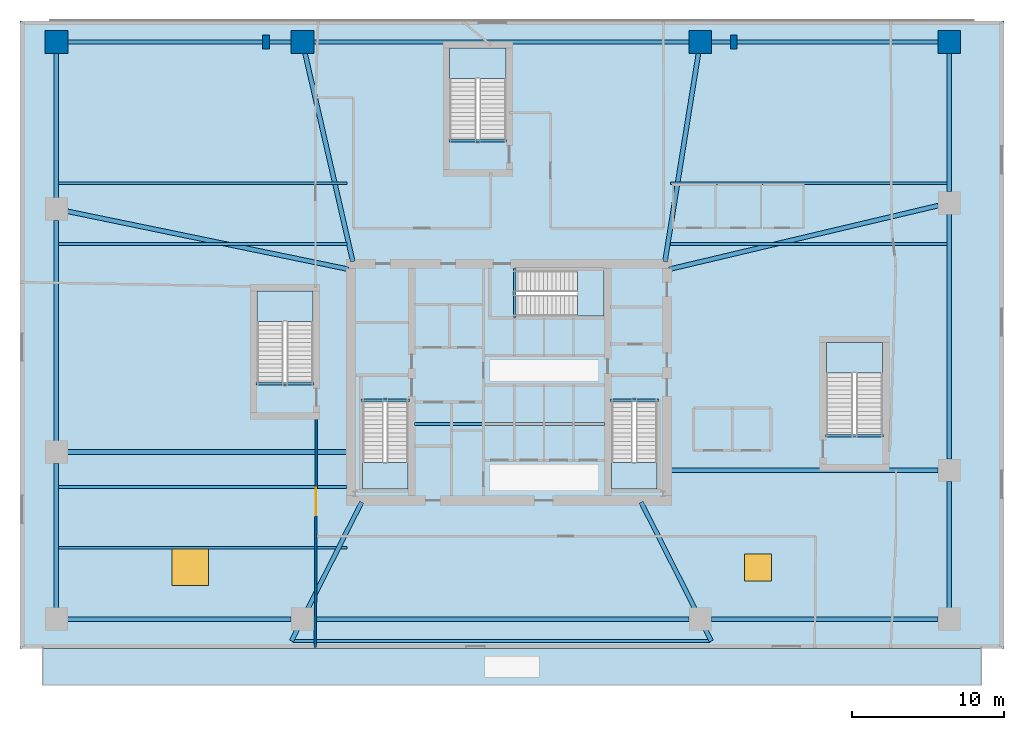
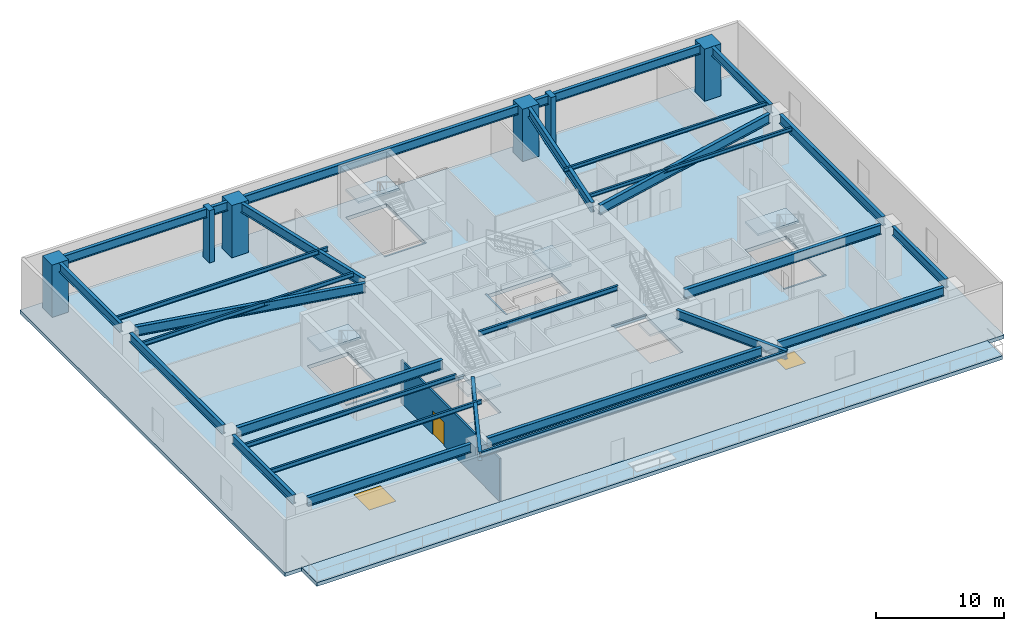
# One storey, part 3 of 11: 34 beams, 8 slabs, 6 columns, 2 windows, 1 door, 1 wall, 3 openings, 6 elements without a shape of their own.
"""IFC4 building model written with IfcOpenShell, lengths in metres."""

from ifc_helpers import new_model, si_unit, direction, frame, frame_2d, origin, origin_2d, place, context, subcontext, project, spatial, polyline, rectangle, i_section, outline, extrude, material, layer, layer_set, material_profile, profile_set, type_object, element, fill, aggregate, save


model = new_model("IFC4")

# Units and contexts
model_context = context("Model", 3, precision=1e-05, world=origin(), true_north=direction((0.0, 1.0)))
body_context = subcontext(model_context, "Body", "Model", "MODEL_VIEW")
ifc_project = project(units=[si_unit("LENGTHUNIT", "METRE"), si_unit("AREAUNIT", "SQUARE_METRE"), si_unit("VOLUMEUNIT", "CUBIC_METRE"), si_unit("PLANEANGLEUNIT", "RADIAN"), si_unit("MASSUNIT", "GRAM", prefix="KILO")], contexts=[model_context])

# Site, building, storey
site_placement = place(None, origin())
site = spatial("IfcSite", under=ifc_project, at=site_placement, CompositionType="ELEMENT")
building_placement = place(site_placement, origin())
building = spatial("IfcBuilding", under=site, at=building_placement, Name="Qarnah Convention Tower", CompositionType="ELEMENT")
storey_placement = place(building_placement, frame((0.0, 0.0, 16.199951171875)))
storey = spatial("IfcBuildingStorey", under=building, at=storey_placement, Name="L03", CompositionType="ELEMENT", Elevation=16.199951171875)

# Columns
ifc_material_1 = material(Name="Concrete C60/75", Category="concrete")
ifc_material_profile_1 = material_profile(ifc_material_1, rectangle(XDim=1.5, YDim=1.5, at=origin_2d()), Name="RC-COL-1500X1500")
ifc_profile_set_1 = profile_set([ifc_material_profile_1], Name="Concrete C60/75")
column_type_1 = type_object("IfcColumnType", Name="COL-MC1500", PredefinedType="COLUMN", material=ifc_profile_set_1)
for number, where, z_axis, x_axis, name in (
    (1, (66.199951171875, 48.800048828125, 0.0), (0.0, 0.0, 1.0), (1.0, 0.0, 0.0), "L03 plumb column MC-07"),
    (2, (49.800048828125, 48.800048828125, 0.0), (0.0, 0.0, 1.0), (1.0, 0.0, 0.0), "L03 plumb column MC-08"),
    (3, (23.60009765625, 48.800048828125, 0.0), (0.0, 0.0, 1.0), (1.0, 0.0, 0.0), "L03 plumb column MC-09"),
    (4, (7.39990234375, 48.800048828125, 0.0), (0.0, 0.0, 1.0), (1.0, 0.0, 0.0), "L03 plumb column MC-10"),
):
    element("IfcColumn", number, at=place(storey_placement, frame(where, z_axis=z_axis, x_axis=x_axis)), inside=storey, type_object=column_type_1, Name=name, PredefinedType="COLUMN", context=body_context, shape_type="SweptSolid", body=[
        extrude(rectangle(XDim=1.5, YDim=1.5, at=origin_2d()), origin(), (0.0, 0.0, 1.0), 4.97998046875),
    ])
ifc_material_2 = material(Name="Precast concrete C45/55", Category="concrete")
ifc_material_profile_2 = material_profile(ifc_material_2, rectangle(XDim=0.449951171875, YDim=0.949951171875, at=origin_2d()), Name="PC-RIB-450X950")
ifc_profile_set_2 = profile_set([ifc_material_profile_2], Name="Precast concrete C45/55")
column_type_2 = type_object("IfcColumnType", Name="PIL-POD-450", PredefinedType="PILASTER", material=ifc_profile_set_2)
for number, where, z_axis, x_axis, name in (
    (5, (21.199951171875, 48.800048828125, 0.0), (0.0, 0.0, 1.0), (1.0, 0.0, 0.0), "L03 structural concrete pilaster 1"),
    (6, (52.0, 48.800048828125, 0.0), (0.0, 0.0, 1.0), (1.0, 0.0, 0.0), "L03 structural concrete pilaster 2"),
):
    element("IfcColumn", number, at=place(storey_placement, frame(where, z_axis=z_axis, x_axis=x_axis)), inside=storey, type_object=column_type_2, Name=name, PredefinedType="PILASTER", context=body_context, shape_type="SweptSolid", body=[
        extrude(rectangle(XDim=0.449951171875, YDim=0.949951171875, at=origin_2d()), origin(), (0.0, 0.0, 1.0), 4.97998046875),
    ])

# Beams
ifc_material_3 = material(Name="Structural steel S355JR", Category="steel")
ifc_material_profile_3 = material_profile(ifc_material_3, i_section(OverallWidth=0.19189453125, OverallDepth=0.464111328125, WebThickness=0.010986328125, FlangeThickness=0.01806640625, at=origin_2d()), Name="W460X89")
ifc_profile_set_3 = profile_set([ifc_material_profile_3], Name="Structural steel S355JR")
beam_type_1 = type_object("IfcBeamType", Name="BM-CANT-W460A", PredefinedType="BEAM", material=ifc_profile_set_3)
beam_1_placement = place(storey_placement, frame((30.97998046875, 23.64990234375, 4.748046875), z_axis=(1.0, 0.0, 0.0), x_axis=(0.0, 1.0, 0.0)))
element("IfcBeam", 7, at=beam_1_placement, inside=storey, type_object=beam_type_1, Name="L03 beam BM-L03-KC1", PredefinedType="BEAM", context=body_context, shape_type="SweptSolid", body=[
    extrude(i_section(OverallWidth=0.19189453125, OverallDepth=0.464111328125, WebThickness=0.010986328125, FlangeThickness=0.01806640625, at=origin_2d()), origin(), (0.0, 0.0, 1.0), 12.5400390625),
])
ifc_material_profile_4 = material_profile(ifc_material_3, i_section(OverallWidth=0.166015625, OverallDepth=0.31201171875, WebThickness=0.007080078125, FlangeThickness=0.010986328125, at=origin_2d()), Name="W310X45")
ifc_profile_set_4 = profile_set([ifc_material_profile_4], Name="Structural steel S355JR")
beam_type_2 = type_object("IfcBeamType", Name="BM-JST-W310", PredefinedType="JOIST", material=ifc_profile_set_4)
for number, where, z_axis, x_axis, name in (
    (8, (27.4599609375, 25.217041015625, -0.156005859375), (1.0, 0.0, 0.0), (0.0, 1.0, 0.0), "L03 stair landing trimmer beam BM-L03-ST1-TRM"),
    (9, (43.860107421875, 25.217041015625, -0.156005859375), (1.0, 0.0, 0.0), (0.0, 1.0, 0.0), "L03 stair landing trimmer beam BM-L03-ST2-TRM"),
):
    element("IfcBeam", number, at=place(storey_placement, frame(where, z_axis=z_axis, x_axis=x_axis)), inside=storey, type_object=beam_type_2, Name=name, PredefinedType="BEAM", context=body_context, shape_type="SweptSolid", body=[
        extrude(i_section(OverallWidth=0.166015625, OverallDepth=0.31201171875, WebThickness=0.007080078125, FlangeThickness=0.010986328125, at=origin_2d()), origin(), (0.0, 0.0, 1.0), 3.179931640625),
    ])
beam_2_placement = place(storey_placement, frame((37.5830078125, 30.659912109375, -0.156005859375), z_axis=(0.0, 1.0, 0.0), x_axis=(-1.0, 0.0, 0.0)))
element("IfcBeam", 10, at=beam_2_placement, inside=storey, type_object=beam_type_2, Name="L03 stair landing trimmer beam BM-L03-ST3-TRM", PredefinedType="BEAM", context=body_context, shape_type="SweptSolid", body=[
    extrude(i_section(OverallWidth=0.166015625, OverallDepth=0.31201171875, WebThickness=0.007080078125, FlangeThickness=0.010986328125, at=origin_2d()), origin(), (0.0, 0.0, 1.0), 3.239990234375),
])
for number, where, z_axis, x_axis, name in (
    (11, (58.050048828125, 22.883056640625, -0.156005859375), (1.0, 0.0, 0.0), (0.0, 1.0, 0.0), "L03 podium stair trimmer beam BM-L03-ST4-TRM"),
    (12, (20.550048828125, 26.282958984375, -0.156005859375), (1.0, 0.0, 0.0), (0.0, 1.0, 0.0), "L03 podium stair trimmer beam BM-L03-ST5-TRM"),
    (13, (33.25, 42.282958984375, -0.156005859375), (1.0, 0.0, 0.0), (0.0, 1.0, 0.0), "L03 podium stair trimmer beam BM-L03-ST6-TRM"),
):
    element("IfcBeam", number, at=place(storey_placement, frame(where, z_axis=z_axis, x_axis=x_axis)), inside=storey, type_object=beam_type_2, Name=name, PredefinedType="BEAM", context=body_context, shape_type="SweptSolid", body=[
        extrude(i_section(OverallWidth=0.166015625, OverallDepth=0.31201171875, WebThickness=0.007080078125, FlangeThickness=0.010986328125, at=origin_2d()), origin(), (0.0, 0.0, 1.0), 3.800048828125),
    ])
ifc_material_profile_5 = material_profile(ifc_material_3, i_section(OverallWidth=0.172119140625, OverallDepth=0.35595703125, WebThickness=0.007080078125, FlangeThickness=0.011962890625, at=origin_2d()), Name="W360X51")
ifc_profile_set_5 = profile_set([ifc_material_profile_5], Name="Structural steel S355JR")
beam_type_3 = type_object("IfcBeamType", Name="BM-JST-W360", PredefinedType="JOIST", material=ifc_profile_set_5)
for number, where, z_axis, x_axis, name in (
    (14, (47.85009765625, 35.5, 4.802001953125), (1.0, 0.0, 0.0), (0.0, 1.0, 0.0), "L03 joist BM-L03-JSTE-03"),
    (15, (47.85009765625, 39.5, 4.802001953125), (1.0, 0.0, 0.0), (0.0, 1.0, 0.0), "L03 joist BM-L03-JSTE-04"),
):
    element("IfcBeam", number, at=place(storey_placement, frame(where, z_axis=z_axis, x_axis=x_axis)), inside=storey, type_object=beam_type_3, Name=name, PredefinedType="JOIST", context=body_context, shape_type="SweptSolid", body=[
        extrude(i_section(OverallWidth=0.172119140625, OverallDepth=0.35595703125, WebThickness=0.007080078125, FlangeThickness=0.011962890625, at=origin_2d()), origin(), (0.0, 0.0, 1.0), 18.2099609375),
    ])
ifc_material_profile_6 = material_profile(ifc_material_3, i_section(OverallWidth=0.177978515625, OverallDepth=0.407958984375, WebThickness=0.008056640625, FlangeThickness=0.012939453125, at=origin_2d()), Name="W410X60")
ifc_profile_set_6 = profile_set([ifc_material_profile_6], Name="Structural steel S355JR")
beam_type_4 = type_object("IfcBeamType", Name="BM-JST-W410", PredefinedType="JOIST", material=ifc_profile_set_6)
for number, where, z_axis, x_axis, name in (
    (16, (7.5400390625, 15.5, 4.776123046875), (1.0, 0.0, 0.0), (0.0, 1.0, 0.0), "L03 joist BM-L03-JSTW-01"),
    (17, (7.5400390625, 19.5, 4.776123046875), (1.0, 0.0, 0.0), (0.0, 1.0, 0.0), "L03 joist BM-L03-JSTW-02"),
    (18, (7.5400390625, 35.5, 4.776123046875), (1.0, 0.0, 0.0), (0.0, 1.0, 0.0), "L03 joist BM-L03-JSTW-03"),
    (19, (7.5400390625, 39.5, 4.776123046875), (1.0, 0.0, 0.0), (0.0, 1.0, 0.0), "L03 joist BM-L03-JSTW-04"),
):
    element("IfcBeam", number, at=place(storey_placement, frame(where, z_axis=z_axis, x_axis=x_axis)), inside=storey, type_object=beam_type_4, Name=name, PredefinedType="JOIST", context=body_context, shape_type="SweptSolid", body=[
        extrude(i_section(OverallWidth=0.177978515625, OverallDepth=0.407958984375, WebThickness=0.008056640625, FlangeThickness=0.012939453125, at=origin_2d()), origin(), (0.0, 0.0, 1.0), 19.010009765625),
    ])
ifc_material_profile_7 = material_profile(ifc_material_3, i_section(OverallWidth=0.2939453125, OverallDepth=0.843994140625, WebThickness=0.01708984375, FlangeThickness=0.02587890625, at=origin_2d()), Name="W840X251")
ifc_profile_set_7 = profile_set([ifc_material_profile_7], Name="Structural steel S355JR")
beam_type_5 = type_object("IfcBeamType", Name="BM-POD-W840A", PredefinedType="BEAM", material=ifc_profile_set_7)
beam_3_placement = place(storey_placement, frame((8.139892578125, 10.800048828125, 4.55810546875), z_axis=(1.0, 0.0, 0.0), x_axis=(0.0, 1.0, 0.0)))
element("IfcBeam", 20, at=beam_3_placement, inside=storey, type_object=beam_type_5, Name="L03 spandrel BM-L03-PRG-01", PredefinedType="SPANDREL", context=body_context, shape_type="SweptSolid", body=[
    extrude(i_section(OverallWidth=0.2939453125, OverallDepth=0.843994140625, WebThickness=0.01708984375, FlangeThickness=0.02587890625, at=origin_2d()), origin(), (0.0, 0.0, 1.0), 14.72021484375),
])
beam_4_placement = place(storey_placement, frame((24.340087890625, 10.800048828125, 4.55810546875), z_axis=(1.0, 0.0, 0.0), x_axis=(0.0, 1.0, 0.0)))
element("IfcBeam", 21, at=beam_4_placement, inside=storey, type_object=beam_type_5, Name="L03 spandrel BM-L03-PRG-02", PredefinedType="SPANDREL", context=body_context, shape_type="SweptSolid", body=[
    extrude(i_section(OverallWidth=0.2939453125, OverallDepth=0.843994140625, WebThickness=0.01708984375, FlangeThickness=0.02587890625, at=origin_2d()), origin(), (0.0, 0.0, 1.0), 24.719970703125),
])
beam_5_placement = place(storey_placement, frame((50.5400390625, 10.800048828125, 4.55810546875), z_axis=(1.0, 0.0, 0.0), x_axis=(0.0, 1.0, 0.0)))
element("IfcBeam", 22, at=beam_5_placement, inside=storey, type_object=beam_type_5, Name="L03 spandrel BM-L03-PRG-03", PredefinedType="SPANDREL", context=body_context, shape_type="SweptSolid", body=[
    extrude(i_section(OverallWidth=0.2939453125, OverallDepth=0.843994140625, WebThickness=0.01708984375, FlangeThickness=0.02587890625, at=origin_2d()), origin(), (0.0, 0.0, 1.0), 14.919921875),
])
beam_6_placement = place(storey_placement, frame((66.199951171875, 11.5400390625, 4.55810546875), z_axis=(0.0, 1.0, 0.0), x_axis=(-1.0, 0.0, 0.0)))
element("IfcBeam", 23, at=beam_6_placement, inside=storey, type_object=beam_type_5, Name="L03 spandrel BM-L03-PRG-04", PredefinedType="SPANDREL", context=body_context, shape_type="SweptSolid", body=[
    extrude(i_section(OverallWidth=0.2939453125, OverallDepth=0.843994140625, WebThickness=0.01708984375, FlangeThickness=0.02587890625, at=origin_2d()), origin(), (0.0, 0.0, 1.0), 8.320068359375),
])
beam_7_placement = place(storey_placement, frame((66.199951171875, 21.340087890625, 4.55810546875), z_axis=(0.0, 1.0, 0.0), x_axis=(-1.0, 0.0, 0.0)))
element("IfcBeam", 24, at=beam_7_placement, inside=storey, type_object=beam_type_5, Name="L03 spandrel BM-L03-PRG-05", PredefinedType="SPANDREL", context=body_context, shape_type="SweptSolid", body=[
    extrude(i_section(OverallWidth=0.2939453125, OverallDepth=0.843994140625, WebThickness=0.01708984375, FlangeThickness=0.02587890625, at=origin_2d()), origin(), (0.0, 0.0, 1.0), 16.119873046875),
])
beam_8_placement = place(storey_placement, frame((66.199951171875, 38.93994140625, 4.55810546875), z_axis=(0.0, 1.0, 0.0), x_axis=(-1.0, 0.0, 0.0)))
element("IfcBeam", 25, at=beam_8_placement, inside=storey, type_object=beam_type_5, Name="L03 spandrel BM-L03-PRG-06", PredefinedType="SPANDREL", context=body_context, shape_type="SweptSolid", body=[
    extrude(i_section(OverallWidth=0.2939453125, OverallDepth=0.843994140625, WebThickness=0.01708984375, FlangeThickness=0.02587890625, at=origin_2d()), origin(), (0.0, 0.0, 1.0), 9.1201171875),
])
beam_9_placement = place(storey_placement, frame((65.4599609375, 48.800048828125, 4.55810546875), z_axis=(-1.0, 0.0, 0.0), x_axis=(0.0, -1.0, 0.0)))
element("IfcBeam", 26, at=beam_9_placement, inside=storey, type_object=beam_type_5, Name="L03 spandrel BM-L03-PRG-07", PredefinedType="SPANDREL", context=body_context, shape_type="SweptSolid", body=[
    extrude(i_section(OverallWidth=0.2939453125, OverallDepth=0.843994140625, WebThickness=0.01708984375, FlangeThickness=0.02587890625, at=origin_2d()), origin(), (0.0, 0.0, 1.0), 14.919921875),
])
beam_10_placement = place(storey_placement, frame((49.06005859375, 48.800048828125, 4.55810546875), z_axis=(-1.0, 0.0, 0.0), x_axis=(0.0, -1.0, 0.0)))
element("IfcBeam", 27, at=beam_10_placement, inside=storey, type_object=beam_type_5, Name="L03 spandrel BM-L03-PRG-08", PredefinedType="SPANDREL", context=body_context, shape_type="SweptSolid", body=[
    extrude(i_section(OverallWidth=0.2939453125, OverallDepth=0.843994140625, WebThickness=0.01708984375, FlangeThickness=0.02587890625, at=origin_2d()), origin(), (0.0, 0.0, 1.0), 24.719970703125),
])
beam_11_placement = place(storey_placement, frame((22.860107421875, 48.800048828125, 4.55810546875), z_axis=(-1.0, 0.0, 0.0), x_axis=(0.0, -1.0, 0.0)))
element("IfcBeam", 28, at=beam_11_placement, inside=storey, type_object=beam_type_5, Name="L03 spandrel BM-L03-PRG-09", PredefinedType="SPANDREL", context=body_context, shape_type="SweptSolid", body=[
    extrude(i_section(OverallWidth=0.2939453125, OverallDepth=0.843994140625, WebThickness=0.01708984375, FlangeThickness=0.02587890625, at=origin_2d()), origin(), (0.0, 0.0, 1.0), 14.72021484375),
])
beam_12_placement = place(storey_placement, frame((7.39990234375, 48.06005859375, 4.55810546875), z_axis=(0.0, -1.0, 0.0), x_axis=(1.0, 0.0, 0.0)))
element("IfcBeam", 29, at=beam_12_placement, inside=storey, type_object=beam_type_5, Name="L03 spandrel BM-L03-PRG-10", PredefinedType="SPANDREL", context=body_context, shape_type="SweptSolid", body=[
    extrude(i_section(OverallWidth=0.2939453125, OverallDepth=0.843994140625, WebThickness=0.01708984375, FlangeThickness=0.02587890625, at=origin_2d()), origin(), (0.0, 0.0, 1.0), 9.52001953125),
])
beam_13_placement = place(storey_placement, frame((7.39990234375, 37.06005859375, 4.55810546875), z_axis=(0.0, -1.0, 0.0), x_axis=(1.0, 0.0, 0.0)))
element("IfcBeam", 30, at=beam_13_placement, inside=storey, type_object=beam_type_5, Name="L03 spandrel BM-L03-PRG-11", PredefinedType="SPANDREL", context=body_context, shape_type="SweptSolid", body=[
    extrude(i_section(OverallWidth=0.2939453125, OverallDepth=0.843994140625, WebThickness=0.01708984375, FlangeThickness=0.02587890625, at=origin_2d()), origin(), (0.0, 0.0, 1.0), 14.52001953125),
])
beam_14_placement = place(storey_placement, frame((7.39990234375, 21.06005859375, 4.55810546875), z_axis=(0.0, -1.0, 0.0), x_axis=(1.0, 0.0, 0.0)))
element("IfcBeam", 31, at=beam_14_placement, inside=storey, type_object=beam_type_5, Name="L03 spandrel BM-L03-PRG-12", PredefinedType="SPANDREL", context=body_context, shape_type="SweptSolid", body=[
    extrude(i_section(OverallWidth=0.2939453125, OverallDepth=0.843994140625, WebThickness=0.01708984375, FlangeThickness=0.02587890625, at=origin_2d()), origin(), (0.0, 0.0, 1.0), 9.52001953125),
])
ifc_material_profile_8 = material_profile(ifc_material_3, i_section(OverallWidth=0.2900390625, OverallDepth=0.83203125, WebThickness=0.014892578125, FlangeThickness=0.02001953125, at=origin_2d()), Name="W840X193")
ifc_profile_set_8 = profile_set([ifc_material_profile_8], Name="Structural steel S355JR")
beam_type_6 = type_object("IfcBeamType", Name="BM-POD-W840B", PredefinedType="BEAM", material=ifc_profile_set_8)
for number, where, z_axis, x_axis, name in (
    (32, (27.5, 18.5, 4.56396484375), (-0.451114674914, -0.892465993793, 0.0), (0.892465993793, -0.451114674914, 0.0), "L03 beam BM-L03-TSUP-01"),
    (33, (45.89990234375, 18.5, 4.56396484375), (0.451114674914, -0.892465993793, 0.0), (0.892465993793, 0.451114674914, 0.0), "L03 beam BM-L03-TSUP-02"),
):
    element("IfcBeam", number, at=place(storey_placement, frame(where, z_axis=z_axis, x_axis=x_axis)), inside=storey, type_object=beam_type_6, Name=name, PredefinedType="BEAM", context=body_context, shape_type="SweptSolid", body=[
        extrude(i_section(OverallWidth=0.2900390625, OverallDepth=0.83203125, WebThickness=0.014892578125, FlangeThickness=0.02001953125, at=origin_2d()), origin(), (0.0, 0.0, 1.0), 10.25244140625),
    ])
ifc_material_profile_9 = material_profile(ifc_material_3, i_section(OverallWidth=0.303955078125, OverallDepth=0.89990234375, WebThickness=0.01806640625, FlangeThickness=0.02587890625, at=origin_2d()), Name="W920X271")
ifc_profile_set_9 = profile_set([ifc_material_profile_9], Name="Structural steel S355JR")
beam_type_7 = type_object("IfcBeamType", Name="BM-POD-W920B", PredefinedType="BEAM", material=ifc_profile_set_9)
beam_15_placement = place(storey_placement, frame((65.4599609375, 20.60009765625, 4.530029296875), z_axis=(-1.0, 0.0, 0.0), x_axis=(0.0, -1.0, 0.0)))
element("IfcBeam", 34, at=beam_15_placement, inside=storey, type_object=beam_type_7, Name="L03 beam BM-L03-CSP-05", PredefinedType="BEAM", context=body_context, shape_type="SweptSolid", body=[
    extrude(i_section(OverallWidth=0.303955078125, OverallDepth=0.89990234375, WebThickness=0.01806640625, FlangeThickness=0.02587890625, at=origin_2d()), origin(), (0.0, 0.0, 1.0), 17.7099609375),
])
beam_16_placement = place(storey_placement, frame((65.47998046875, 38.030029296875, 4.530029296875), z_axis=(-0.973142555293, -0.230203316826, 0.0), x_axis=(0.230203316826, -0.973142555293, 0.0)))
element("IfcBeam", 35, at=beam_16_placement, inside=storey, type_object=beam_type_7, Name="L03 beam BM-L03-CSP-06", PredefinedType="BEAM", context=body_context, shape_type="SweptSolid", body=[
    extrude(i_section(OverallWidth=0.303955078125, OverallDepth=0.89990234375, WebThickness=0.01806640625, FlangeThickness=0.02587890625, at=origin_2d()), origin(), (0.0, 0.0, 1.0), 18.223388671875),
])
beam_17_placement = place(storey_placement, frame((49.681884765625, 48.069091796875, 4.530029296875), z_axis=(-0.158858513675, -0.987301358569, 0.0), x_axis=(0.987301358569, -0.158858513675, 0.0)))
element("IfcBeam", 36, at=beam_17_placement, inside=storey, type_object=beam_type_7, Name="L03 beam BM-L03-CSP-08", PredefinedType="BEAM", context=body_context, shape_type="SweptSolid", body=[
    extrude(i_section(OverallWidth=0.303955078125, OverallDepth=0.89990234375, WebThickness=0.01806640625, FlangeThickness=0.02587890625, at=origin_2d()), origin(), (0.0, 0.0, 1.0), 13.897705078125),
])
beam_18_placement = place(storey_placement, frame((23.764892578125, 48.0791015625, 4.530029296875), z_axis=(0.223641950583, -0.974671369201, 0.0), x_axis=(0.974671369201, 0.223641950583, 0.0)))
element("IfcBeam", 37, at=beam_18_placement, inside=storey, type_object=beam_type_7, Name="L03 beam BM-L03-CSP-09", PredefinedType="BEAM", context=body_context, shape_type="SweptSolid", body=[
    extrude(i_section(OverallWidth=0.303955078125, OverallDepth=0.89990234375, WebThickness=0.01806640625, FlangeThickness=0.02587890625, at=origin_2d()), origin(), (0.0, 0.0, 1.0), 14.090087890625),
])
beam_19_placement = place(storey_placement, frame((8.125, 37.65087890625, 4.530029296875), z_axis=(0.979392295242, -0.201967155796, 0.0), x_axis=(0.201967155796, 0.979392295242, 0.0)))
element("IfcBeam", 38, at=beam_19_placement, inside=storey, type_object=beam_type_7, Name="L03 beam BM-L03-CSP-11", PredefinedType="BEAM", context=body_context, shape_type="SweptSolid", body=[
    extrude(i_section(OverallWidth=0.303955078125, OverallDepth=0.89990234375, WebThickness=0.01806640625, FlangeThickness=0.02587890625, at=origin_2d()), origin(), (0.0, 0.0, 1.0), 18.91796875),
])
beam_20_placement = place(storey_placement, frame((8.139892578125, 21.800048828125, 4.530029296875), z_axis=(1.0, 0.0, 0.0), x_axis=(0.0, 1.0, 0.0)))
element("IfcBeam", 39, at=beam_20_placement, inside=storey, type_object=beam_type_7, Name="L03 beam BM-L03-CSP-12", PredefinedType="BEAM", context=body_context, shape_type="SweptSolid", body=[
    extrude(i_section(OverallWidth=0.303955078125, OverallDepth=0.89990234375, WebThickness=0.01806640625, FlangeThickness=0.02587890625, at=origin_2d()), origin(), (0.0, 0.0, 1.0), 18.510009765625),
])
ifc_material_profile_10 = material_profile(ifc_material_3, i_section(OverallWidth=0.199951171875, OverallDepth=0.5, WebThickness=0.010009765625, FlangeThickness=0.01611328125, at=origin_2d()), Name="IPE500")
ifc_profile_set_10 = profile_set([ifc_material_profile_10], Name="Structural steel S355JR")
beam_type_8 = type_object("IfcBeamType", Name="BM-SPN-IPE500", PredefinedType="SPANDREL", material=ifc_profile_set_10)
beam_21_placement = place(storey_placement, frame((22.97509765625, 9.35009765625, 4.72998046875), z_axis=(1.0, 0.0, 0.0), x_axis=(0.0, 1.0, 0.0)))
element("IfcBeam", 40, at=beam_21_placement, inside=storey, type_object=beam_type_8, Name="L03 spandrel BM-L03-TTIE-01", PredefinedType="SPANDREL", context=body_context, shape_type="SweptSolid", body=[
    extrude(i_section(OverallWidth=0.199951171875, OverallDepth=0.5, WebThickness=0.010009765625, FlangeThickness=0.01611328125, at=origin_2d()), origin(), (0.0, 0.0, 1.0), 27.449951171875),
])

# Stair, slab
ifc_material_4 = material(Name="Concrete C50/60", Category="concrete")
stair_type_1 = type_object("IfcStairType", Name="STR-POD", PredefinedType="HALF_TURN_STAIR", material=ifc_material_4)
stair_1_placement = place(storey_placement, origin())
stair_1 = element("IfcStair", 41, at=stair_1_placement, inside=storey, type_object=stair_type_1, Name="L03 Core exit stair ST-1", PredefinedType="HALF_TURN_STAIR")
ifc_layer_1 = layer(ifc_material_4, 0.199951171875)
ifc_layer_set_1 = layer_set([ifc_layer_1], Name="Concrete C50/60")
slab_type_1 = type_object("IfcSlabType", Name="SLB-LANDING-200", PredefinedType="LANDING", material=ifc_layer_set_1)
slab_1_placement = place(storey_placement, frame((0.0, 0.0, 2.5)))
slab_1 = element("IfcSlab", 42, at=slab_1_placement, type_object=slab_type_1, Name="ST-1 landing 1", PredefinedType="LANDING", context=body_context, shape_type="SweptSolid", body=[
    extrude(outline(polyline([(27.550048828125, 21.10009765625), (27.550048828125, 19.35009765625), (30.550048828125, 19.35009765625), (30.550048828125, 21.10009765625), (27.550048828125, 21.10009765625)])), origin(), (0.0, 0.0, 1.0), 0.199951171875),
])
aggregate(stair_1, [slab_1])

stair_2_placement = place(storey_placement, origin())
stair_2 = element("IfcStair", 43, at=stair_2_placement, inside=storey, type_object=stair_type_1, Name="L03 Core exit stair ST-2", PredefinedType="HALF_TURN_STAIR")
slab_2_placement = place(storey_placement, frame((0.0, 0.0, 2.5)))
slab_2 = element("IfcSlab", 44, at=slab_2_placement, type_object=slab_type_1, Name="ST-2 landing 1", PredefinedType="LANDING", context=body_context, shape_type="SweptSolid", body=[
    extrude(outline(polyline([(43.949951171875, 21.10009765625), (43.949951171875, 19.35009765625), (46.949951171875, 19.35009765625), (46.949951171875, 21.10009765625), (43.949951171875, 21.10009765625)])), origin(), (0.0, 0.0, 1.0), 0.199951171875),
])
aggregate(stair_2, [slab_2])

stair_3_placement = place(storey_placement, origin())
stair_3 = element("IfcStair", 45, at=stair_3_placement, inside=storey, type_object=stair_type_1, Name="L03 Core exit stair ST-3", PredefinedType="HALF_TURN_STAIR")
slab_3_placement = place(storey_placement, frame((0.0, 0.0, 2.5)))
slab_3 = element("IfcSlab", 46, at=slab_3_placement, type_object=slab_type_1, Name="ST-3 landing 1", PredefinedType="LANDING", context=body_context, shape_type="SweptSolid", body=[
    extrude(outline(polyline([(41.699951171875, 30.75), (43.449951171875, 30.75), (43.449951171875, 33.75), (41.699951171875, 33.75), (41.699951171875, 30.75)])), origin(), (0.0, 0.0, 1.0), 0.199951171875),
])
aggregate(stair_3, [slab_3])

stair_type_2 = type_object("IfcStairType", Name="STR-PODW", PredefinedType="HALF_TURN_STAIR", material=ifc_material_4)
stair_4_placement = place(storey_placement, origin())
stair_4 = element("IfcStair", 47, at=stair_4_placement, inside=storey, type_object=stair_type_2, Name="L03 Podium east convention exit stair ST-4", PredefinedType="HALF_TURN_STAIR")
slab_4_placement = place(storey_placement, frame((0.0, 0.0, 2.5)))
slab_4 = element("IfcSlab", 48, at=slab_4_placement, type_object=slab_type_1, Name="ST-4 landing 1", PredefinedType="LANDING", context=body_context, shape_type="SweptSolid", body=[
    extrude(outline(polyline([(61.800048828125, 27.0), (61.800048828125, 29.0), (58.10009765625, 29.0), (58.10009765625, 27.0), (61.800048828125, 27.0)])), origin(), (0.0, 0.0, 1.0), 0.199951171875),
])
aggregate(stair_4, [slab_4])

stair_5_placement = place(storey_placement, origin())
stair_5 = element("IfcStair", 49, at=stair_5_placement, inside=storey, type_object=stair_type_2, Name="L03 Podium west exhibition exit stair ST-5", PredefinedType="HALF_TURN_STAIR")
slab_5_placement = place(storey_placement, frame((0.0, 0.0, 2.5)))
slab_5 = element("IfcSlab", 50, at=slab_5_placement, type_object=slab_type_1, Name="ST-5 landing 1", PredefinedType="LANDING", context=body_context, shape_type="SweptSolid", body=[
    extrude(outline(polyline([(24.300048828125, 30.39990234375), (24.300048828125, 32.39990234375), (20.60009765625, 32.39990234375), (20.60009765625, 30.39990234375), (24.300048828125, 30.39990234375)])), origin(), (0.0, 0.0, 1.0), 0.199951171875),
])
aggregate(stair_5, [slab_5])

stair_6_placement = place(storey_placement, origin())
stair_6 = element("IfcStair", 51, at=stair_6_placement, inside=storey, type_object=stair_type_2, Name="L03 Podium north ballroom exit stair ST-6", PredefinedType="HALF_TURN_STAIR")
slab_6_placement = place(storey_placement, frame((0.0, 0.0, 2.5)))
slab_6 = element("IfcSlab", 52, at=slab_6_placement, type_object=slab_type_1, Name="ST-6 landing 1", PredefinedType="LANDING", context=body_context, shape_type="SweptSolid", body=[
    extrude(outline(polyline([(37.0, 46.39990234375), (37.0, 48.39990234375), (33.300048828125, 48.39990234375), (33.300048828125, 46.39990234375), (37.0, 46.39990234375)])), origin(), (0.0, 0.0, 1.0), 0.199951171875),
])
aggregate(stair_6, [slab_6])

# Slab, openings, windows
ifc_layer_2 = layer(ifc_material_4, 0.35009765625)
ifc_layer_set_2 = layer_set([ifc_layer_2], Name="Concrete C50/60")
slab_type_2 = type_object("IfcSlabType", Name="SLB-POD-350", PredefinedType="FLOOR", material=ifc_layer_set_2)
slab_7_placement = place(storey_placement, frame((0.0, 0.0, -0.349853515625)))
slab_7 = element("IfcSlab", 53, at=slab_7_placement, inside=storey, type_object=slab_type_2, Name="L03 structural floor slab", PredefinedType="FLOOR", context=body_context, shape_type="SweptSolid", body=[
    extrude(outline(polyline([(5.0, 8.85009765625), (69.800048828125, 8.85009765625), (69.800048828125, 50.199951171875), (5.0, 50.199951171875), (5.0, 8.85009765625)]), holes=[polyline([(27.550048828125, 25.300048828125), (27.550048828125, 19.35009765625), (30.550048828125, 19.35009765625), (30.550048828125, 25.300048828125), (27.550048828125, 25.300048828125)]), polyline([(43.949951171875, 25.300048828125), (43.949951171875, 19.35009765625), (46.949951171875, 19.35009765625), (46.949951171875, 25.300048828125), (43.949951171875, 25.300048828125)]), polyline([(37.5, 30.75), (43.449951171875, 30.75), (43.449951171875, 33.75), (37.5, 33.75), (37.5, 30.75)]), polyline([(61.800048828125, 22.800048828125), (61.800048828125, 29.0), (58.10009765625, 29.0), (58.10009765625, 22.800048828125), (61.800048828125, 22.800048828125)]), polyline([(24.300048828125, 26.199951171875), (24.300048828125, 32.39990234375), (20.60009765625, 32.39990234375), (20.60009765625, 26.199951171875), (24.300048828125, 26.199951171875)]), polyline([(37.0, 42.199951171875), (37.0, 48.39990234375), (33.300048828125, 48.39990234375), (33.300048828125, 42.199951171875), (37.0, 42.199951171875)])]), origin(), (0.0, 0.0, 1.0), 0.349853515625),
])
opening_1_placement = place(slab_7_placement, frame((16.199951171875, 14.199951171875, 0.0)))
opening_1 = element("IfcOpeningElement", 54, at=opening_1_placement, cuts=slab_7, Name="Opening SK1", PredefinedType="OPENING", context=body_context, shape_type="SweptSolid", body=[
    extrude(rectangle(XDim=2.39990234375, YDim=2.39990234375, at=origin_2d()), origin(), (0.0, 0.0, 1.0), 0.349853515625),
])
opening_2_placement = place(slab_7_placement, frame((53.60009765625, 14.199951171875, 0.0)))
opening_2 = element("IfcOpeningElement", 55, at=opening_2_placement, cuts=slab_7, Name="Opening SK2", PredefinedType="OPENING", context=body_context, shape_type="SweptSolid", body=[
    extrude(rectangle(XDim=1.800048828125, YDim=1.800048828125, at=origin_2d()), origin(), (0.0, 0.0, 1.0), 0.349853515625),
])
ifc_material_5 = material(Name="Tempered Low-E dark glass", Category="glass")
window_type_1 = type_object("IfcWindowType", Name="WT-SKY-1800X1800", PartitioningType="SINGLE_PANEL", PredefinedType="SKYLIGHT", material=ifc_material_5)
window_1_placement = place(opening_2_placement, frame((0.0, 0.0, 0.2998046875)))
window_1 = element("IfcWindow", 56, at=window_1_placement, inside=storey, type_object=window_type_1, Name="L03 podium foyer skylight 2", OverallHeight=1.800048828125, OverallWidth=1.800048828125, PartitioningType="SINGLE_PANEL", PredefinedType="SKYLIGHT", context=body_context, shape_type="SweptSolid", body=[
    extrude(rectangle(XDim=1.800048828125, YDim=1.800048828125, at=origin_2d()), origin(), (0.0, 0.0, 1.0), 0.050048828125),
])
fill(opening_2, window_1)
window_type_2 = type_object("IfcWindowType", Name="WT-SKY-2400X2400", PartitioningType="SINGLE_PANEL", PredefinedType="SKYLIGHT", material=ifc_material_5)
window_2_placement = place(opening_1_placement, frame((0.0, 0.0, 0.2998046875)))
window_2 = element("IfcWindow", 57, at=window_2_placement, inside=storey, type_object=window_type_2, Name="L03 podium foyer skylight 1", OverallHeight=2.39990234375, OverallWidth=2.39990234375, PartitioningType="SINGLE_PANEL", PredefinedType="SKYLIGHT", context=body_context, shape_type="SweptSolid", body=[
    extrude(rectangle(XDim=2.39990234375, YDim=2.39990234375, at=origin_2d()), origin(), (0.0, 0.0, 1.0), 0.050048828125),
])
fill(opening_1, window_2)

# Slab
slab_8_placement = place(storey_placement, frame((0.0, 0.0, -0.349853515625)))
element("IfcSlab", 58, at=slab_8_placement, inside=storey, type_object=slab_type_2, Name="L03 cantilevered balcony slab TERR-L03-S", ObjectType="BALCONY", PredefinedType="USERDEFINED", context=body_context, shape_type="SweptSolid", body=[
    extrude(outline(polyline([(68.300048828125, 6.449951171875), (6.5, 6.449951171875), (6.5, 8.85400390625), (68.300048828125, 8.85400390625), (68.300048828125, 6.449951171875)])), origin(), (0.0, 0.0, 1.0), 0.349853515625),
])

# Wall, opening, door
ifc_material_6 = material(Name="Gypsum partition board")
ifc_layer_3 = layer(ifc_material_6, 0.159912109375)
ifc_layer_set_3 = layer_set([ifc_layer_3], Name="Gypsum partition board")
wall_type = type_object("IfcWallType", Name="WL-CORR-160", PredefinedType="PARTITIONING", material=ifc_layer_set_3)
wall_placement = place(storey_placement, frame((24.447021484375, 8.9150390625, 0.0), z_axis=(0.0, 0.0, 1.0), x_axis=(0.005029419566, 0.999987352389, 0.0)))
wall = element("IfcWall", 59, at=wall_placement, inside=storey, type_object=wall_type, Name="L03 interior wall IW-L03-R-11", PredefinedType="PARTITIONING", context=body_context, shape_type="SweptSolid", body=[
    extrude(rectangle(XDim=15.485107421875, YDim=0.159912109375, at=frame_2d((7.74267578125, 0.0))), origin(), (0.0, 0.0, 1.0), 4.06494140625),
])
opening_3_placement = place(wall_placement, frame((8.72900390625, 0.0, 0.0)))
opening_3 = element("IfcOpeningElement", 60, at=opening_3_placement, cuts=wall, Name="Opening D-0322", PredefinedType="OPENING", context=body_context, shape_type="SweptSolid", body=[
    extrude(rectangle(XDim=1.800048828125, YDim=2.25, at=frame_2d((0.89990234375, 1.125))), frame((0.0, 0.08984375, 0.0), z_axis=(0.0, -1.0, 0.0), x_axis=(1.0, 0.0, 0.0)), (0.0, 0.0, 1.0), 0.179931640625),
])
ifc_material_7 = material(Name="Black anodised aluminium", Category="aluminium")
door_type = type_object("IfcDoorType", Name="DT-HALL-DBL-1800", OperationType="DOUBLE_DOOR_SINGLE_SWING", PredefinedType="DOOR", material=ifc_material_7)
door_placement = place(opening_3_placement, origin())
door = element("IfcDoor", 61, at=door_placement, inside=storey, type_object=door_type, Name="Door D-0322", OperationType="DOUBLE_DOOR_SINGLE_SWING", OverallHeight=2.25, OverallWidth=1.800048828125, PredefinedType="DOOR", context=body_context, shape_type="SweptSolid", body=[
    extrude(rectangle(XDim=1.800048828125, YDim=2.25, at=frame_2d((0.89990234375, 1.125))), frame((0.0, 0.02490234375, 0.0), z_axis=(0.0, -1.0, 0.0), x_axis=(1.0, 0.0, 0.0)), (0.0, 0.0, 1.0), 0.050048828125),
])
fill(opening_3, door)

save(model, "model.ifc")
